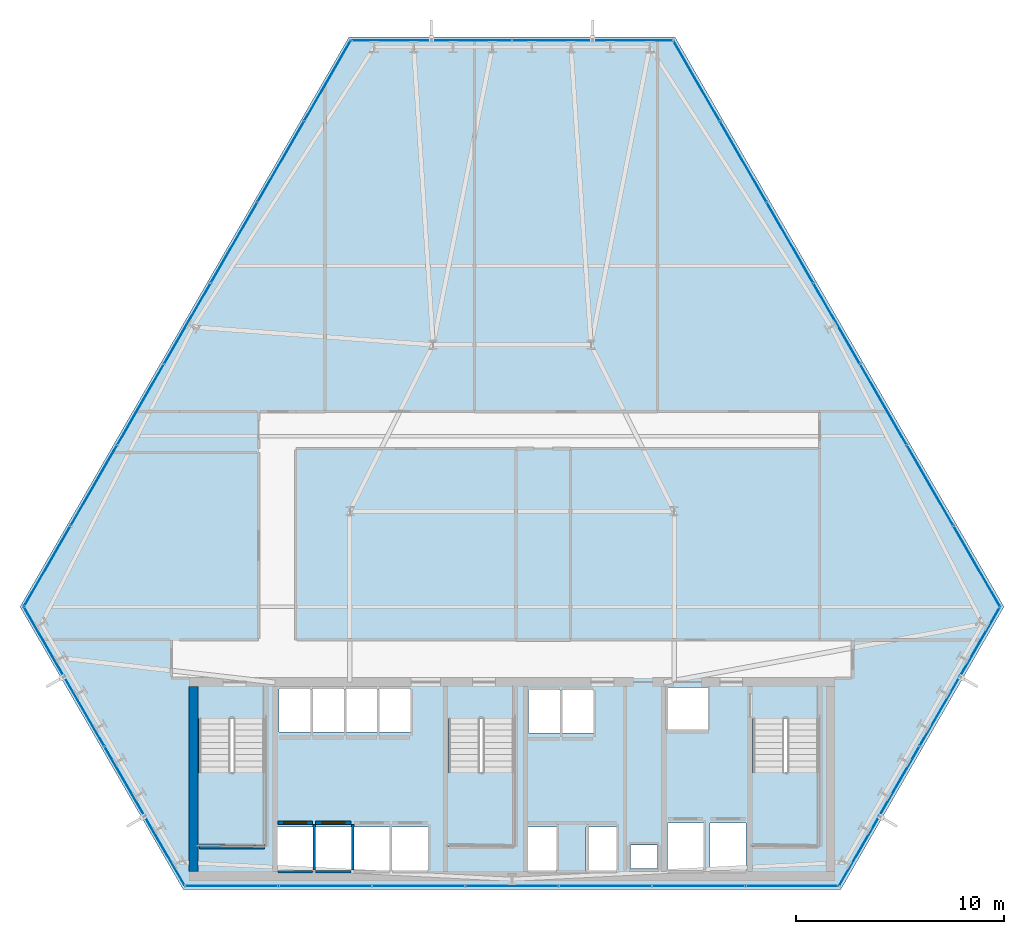
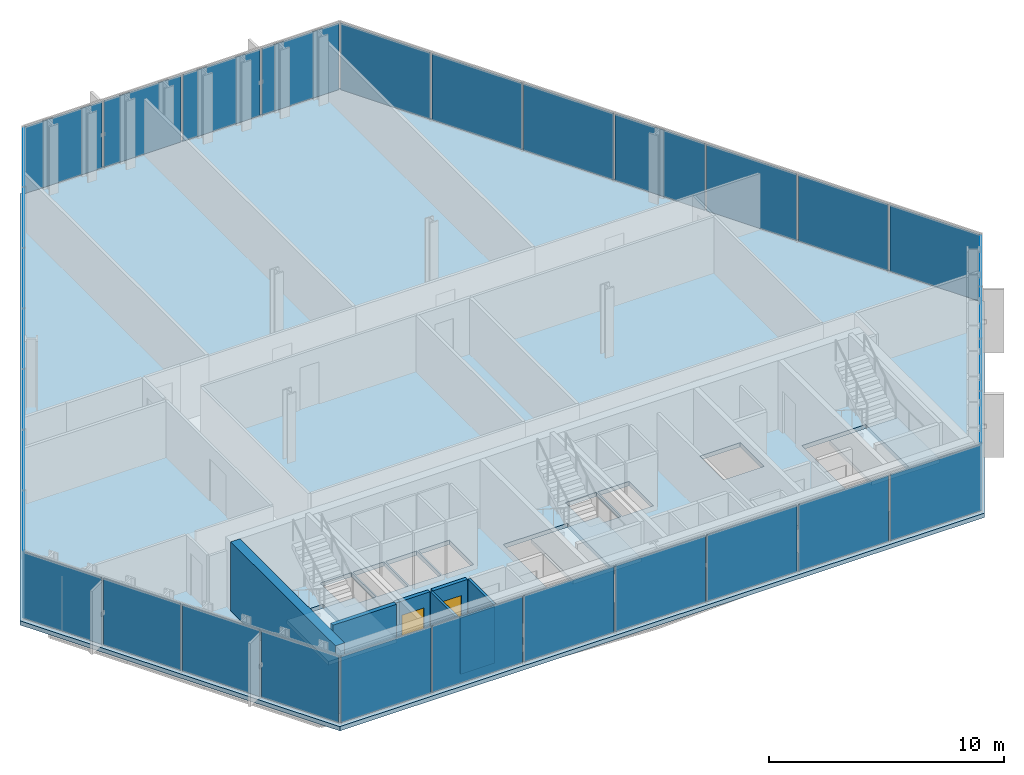
# One storey, part 25 of 32: 33 plates, 8 walls, 4 slabs, 2 doors, 2 openings, 9 elements without a shape of their own.
"""IFC4 building model written with IfcOpenShell, lengths in metres."""

from ifc_helpers import new_model, si_unit, direction, frame, frame_2d, origin, origin_2d, place, context, subcontext, project, spatial, polyline, rectangle, outline, extrude, material, layer, layer_set, type_object, element, fill, aggregate, save


model = new_model("IFC4")

# Units and contexts
model_context = context("Model", 3, precision=1e-05, world=origin(), true_north=direction((0.0, 1.0)))
body_context = subcontext(model_context, "Body", "Model", "MODEL_VIEW")
ifc_project = project(units=[si_unit("LENGTHUNIT", "METRE"), si_unit("AREAUNIT", "SQUARE_METRE"), si_unit("VOLUMEUNIT", "CUBIC_METRE"), si_unit("PLANEANGLEUNIT", "RADIAN"), si_unit("MASSUNIT", "GRAM", prefix="KILO")], contexts=[model_context])

# Site, building, storey
site_placement = place(None, origin())
site = spatial("IfcSite", under=ifc_project, at=site_placement, CompositionType="ELEMENT")
building_placement = place(site_placement, origin())
building = spatial("IfcBuilding", under=site, at=building_placement, Name="Ndaravel Arena Tower", CompositionType="ELEMENT")
storey_placement = place(building_placement, frame((0.0, 0.0, 62.60009765625)))
storey = spatial("IfcBuildingStorey", under=building, at=storey_placement, Name="L13", CompositionType="ELEMENT", Elevation=62.60009765625)

# Curtain wall, plate
ifc_material_1 = material(Name="Aluminium", Category="aluminium")
ifc_layer_1 = layer(ifc_material_1, 0.179931640625)
ifc_layer_set_1 = layer_set([ifc_layer_1], Name="Aluminium")
curtain_wall_type_1 = type_object("IfcCurtainWallType", Name="CW-SYS-01", PredefinedType="NOTDEFINED", material=ifc_layer_set_1)
curtain_wall_1_placement = place(storey_placement, origin())
curtain_wall_1 = element("IfcCurtainWall", 1, at=curtain_wall_1_placement, inside=storey, type_object=curtain_wall_type_1, Name="L13 Faceted Crystal Curtain Wall CW-L13-E02", PredefinedType="NOTDEFINED")
ifc_material_2 = material(Name="Glazing", Category="glass")
ifc_layer_2 = layer(ifc_material_2, 0.035888671875)
ifc_layer_set_2 = layer_set([ifc_layer_2], Name="Glazing")
plate_type_1 = type_object("IfcPlateType", Name="PLT-CW-OPVENT", PredefinedType="CURTAIN_PANEL", material=ifc_layer_set_2)
plate_1_placement = place(storey_placement, frame((60.6435546875, 10.19775390625, 0.059814453125), z_axis=(0.0, 0.0, 1.0), x_axis=(0.5, 0.866025403784, 0.0)))
plate_1 = element("IfcPlate", 2, at=plate_1_placement, type_object=plate_type_1, Name="CW-L13-E02 Operable Vent Sash Panel 02", PredefinedType="CURTAIN_PANEL", context=body_context, shape_type="SweptSolid", body=[
    extrude(rectangle(XDim=3.798095703125, YDim=0.035888671875, at=origin_2d()), origin(), (0.0, 0.0, 1.0), 3.4599609375),
])

curtain_wall_2_placement = place(storey_placement, origin())
curtain_wall_2 = element("IfcCurtainWall", 3, at=curtain_wall_2_placement, inside=storey, type_object=curtain_wall_type_1, Name="L13 Faceted Crystal Curtain Wall CW-L13-E04", PredefinedType="NOTDEFINED")
plate_2_placement = place(storey_placement, frame((43.93896484375, 45.847900390625, 0.059814453125), z_axis=(0.0, 0.0, 1.0), x_axis=(-1.0, 0.0, 0.0)))
plate_2 = element("IfcPlate", 4, at=plate_2_placement, type_object=plate_type_1, Name="CW-L13-E04 Operable Vent Sash Panel 02", PredefinedType="CURTAIN_PANEL", context=body_context, shape_type="SweptSolid", body=[
    extrude(rectangle(XDim=3.798095703125, YDim=0.035888671875, at=origin_2d()), origin(), (0.0, 0.0, 1.0), 3.4599609375),
])

ifc_material_3 = material(Name="Aluminium", Category="aluminium")
ifc_layer_3 = layer(ifc_material_3, 0.179931640625)
ifc_layer_set_3 = layer_set([ifc_layer_3], Name="Aluminium")
curtain_wall_type_2 = type_object("IfcCurtainWallType", Name="CW-SYS-02", PredefinedType="NOTDEFINED", material=ifc_layer_set_3)
curtain_wall_3_placement = place(storey_placement, origin())
curtain_wall_3 = element("IfcCurtainWall", 5, at=curtain_wall_3_placement, inside=storey, type_object=curtain_wall_type_2, Name="L13 Faceted Crystal Curtain Wall CW-L13-E06", PredefinedType="NOTDEFINED")
plate_3_placement = place(storey_placement, frame((21.41748046875, 13.55615234375, 0.059814453125), z_axis=(0.0, 0.0, 1.0), x_axis=(0.5, -0.866025403784, 0.0)))
plate_3 = element("IfcPlate", 6, at=plate_3_placement, type_object=plate_type_1, Name="CW-L13-E06 Operable Vent Sash Panel 02", PredefinedType="CURTAIN_PANEL", context=body_context, shape_type="SweptSolid", body=[
    extrude(rectangle(XDim=3.798095703125, YDim=0.035888671875, at=origin_2d()), origin(), (0.0, 0.0, 1.0), 3.4599609375),
])

# Plate
ifc_material_4 = material(Name="Glazing", Category="glass")
ifc_layer_4 = layer(ifc_material_4, 0.031982421875)
ifc_layer_set_4 = layer_set([ifc_layer_4], Name="Glazing")
plate_type_2 = type_object("IfcPlateType", Name="PLT-GLZ-FRIT35", PredefinedType="CURTAIN_PANEL", material=ifc_layer_set_4)
plate_4_placement = place(storey_placement, frame((58.70458984375, 6.839111328125, 0.059814453125), z_axis=(0.0, 0.0, 1.0), x_axis=(0.5, 0.866025403784, 0.0)))
plate_4 = element("IfcPlate", 7, at=plate_4_placement, type_object=plate_type_2, Name="CW-L13-E02 Vision Glass Panel 01", PredefinedType="CURTAIN_PANEL", context=body_context, shape_type="SweptSolid", body=[
    extrude(rectangle(XDim=3.798095703125, YDim=0.035888671875, at=origin_2d()), origin(), (0.0, 0.0, 1.0), 3.4599609375),
])

plate_5_placement = place(storey_placement, frame((62.58251953125, 13.55615234375, 0.059814453125), z_axis=(0.0, 0.0, 1.0), x_axis=(0.5, 0.866025403784, 0.0)))
plate_5 = element("IfcPlate", 8, at=plate_5_placement, type_object=plate_type_2, Name="CW-L13-E02 Vision Glass Panel 03", PredefinedType="CURTAIN_PANEL", context=body_context, shape_type="SweptSolid", body=[
    extrude(rectangle(XDim=3.798095703125, YDim=0.035888671875, at=origin_2d()), origin(), (0.0, 0.0, 1.0), 3.4599609375),
])

plate_6_placement = place(storey_placement, frame((64.521484375, 16.914794921875, 0.059814453125), z_axis=(0.0, 0.0, 1.0), x_axis=(0.5, 0.866025403784, 0.0)))
plate_6 = element("IfcPlate", 9, at=plate_6_placement, type_object=plate_type_2, Name="CW-L13-E02 Vision Glass Panel 04", PredefinedType="CURTAIN_PANEL", context=body_context, shape_type="SweptSolid", body=[
    extrude(rectangle(XDim=3.798095703125, YDim=0.035888671875, at=origin_2d()), origin(), (0.0, 0.0, 1.0), 3.4599609375),
])

aggregate(curtain_wall_1, [plate_4, plate_1, plate_5, plate_6])

plate_7_placement = place(storey_placement, frame((47.817138671875, 45.847900390625, 0.059814453125), z_axis=(0.0, 0.0, 1.0), x_axis=(-1.0, 0.0, 0.0)))
plate_7 = element("IfcPlate", 10, at=plate_7_placement, type_object=plate_type_2, Name="CW-L13-E04 Vision Glass Panel 01", PredefinedType="CURTAIN_PANEL", context=body_context, shape_type="SweptSolid", body=[
    extrude(rectangle(XDim=3.798095703125, YDim=0.035888671875, at=origin_2d()), origin(), (0.0, 0.0, 1.0), 3.4599609375),
])

plate_8_placement = place(storey_placement, frame((40.06103515625, 45.847900390625, 0.059814453125), z_axis=(0.0, 0.0, 1.0), x_axis=(-1.0, 0.0, 0.0)))
plate_8 = element("IfcPlate", 11, at=plate_8_placement, type_object=plate_type_2, Name="CW-L13-E04 Vision Glass Panel 03", PredefinedType="CURTAIN_PANEL", context=body_context, shape_type="SweptSolid", body=[
    extrude(rectangle(XDim=3.798095703125, YDim=0.035888671875, at=origin_2d()), origin(), (0.0, 0.0, 1.0), 3.4599609375),
])

plate_9_placement = place(storey_placement, frame((36.182861328125, 45.847900390625, 0.059814453125), z_axis=(0.0, 0.0, 1.0), x_axis=(-1.0, 0.0, 0.0)))
plate_9 = element("IfcPlate", 12, at=plate_9_placement, type_object=plate_type_2, Name="CW-L13-E04 Vision Glass Panel 04", PredefinedType="CURTAIN_PANEL", context=body_context, shape_type="SweptSolid", body=[
    extrude(rectangle(XDim=3.798095703125, YDim=0.035888671875, at=origin_2d()), origin(), (0.0, 0.0, 1.0), 3.4599609375),
])

aggregate(curtain_wall_2, [plate_7, plate_2, plate_8, plate_9])

ifc_material_5 = material(Name="Glazing", Category="glass")
ifc_layer_5 = layer(ifc_material_5, 0.035888671875)
ifc_layer_set_5 = layer_set([ifc_layer_5], Name="Glazing")
plate_type_3 = type_object("IfcPlateType", Name="PLT-GLZ-FRIT55", PredefinedType="CURTAIN_PANEL", material=ifc_layer_set_5)
plate_10_placement = place(storey_placement, frame((19.478515625, 16.914794921875, 0.059814453125), z_axis=(0.0, 0.0, 1.0), x_axis=(0.5, -0.866025403784, 0.0)))
plate_10 = element("IfcPlate", 13, at=plate_10_placement, type_object=plate_type_3, Name="CW-L13-E06 Vision Glass Panel 01", PredefinedType="CURTAIN_PANEL", context=body_context, shape_type="SweptSolid", body=[
    extrude(rectangle(XDim=3.798095703125, YDim=0.035888671875, at=origin_2d()), origin(), (0.0, 0.0, 1.0), 3.4599609375),
])

plate_11_placement = place(storey_placement, frame((23.3564453125, 10.19775390625, 0.059814453125), z_axis=(0.0, 0.0, 1.0), x_axis=(0.5, -0.866025403784, 0.0)))
plate_11 = element("IfcPlate", 14, at=plate_11_placement, type_object=plate_type_3, Name="CW-L13-E06 Vision Glass Panel 03", PredefinedType="CURTAIN_PANEL", context=body_context, shape_type="SweptSolid", body=[
    extrude(rectangle(XDim=3.798095703125, YDim=0.035888671875, at=origin_2d()), origin(), (0.0, 0.0, 1.0), 3.4599609375),
])

plate_12_placement = place(storey_placement, frame((25.29541015625, 6.839111328125, 0.059814453125), z_axis=(0.0, 0.0, 1.0), x_axis=(0.5, -0.866025403784, 0.0)))
plate_12 = element("IfcPlate", 15, at=plate_12_placement, type_object=plate_type_3, Name="CW-L13-E06 Vision Glass Panel 04", PredefinedType="CURTAIN_PANEL", context=body_context, shape_type="SweptSolid", body=[
    extrude(rectangle(XDim=3.798095703125, YDim=0.035888671875, at=origin_2d()), origin(), (0.0, 0.0, 1.0), 3.4599609375),
])

aggregate(curtain_wall_3, [plate_10, plate_3, plate_11, plate_12])

# Curtain wall, plates
ifc_material_6 = material(Name="Aluminium", Category="aluminium")
ifc_layer_6 = layer(ifc_material_6, 0.179931640625)
ifc_layer_set_6 = layer_set([ifc_layer_6], Name="Aluminium")
curtain_wall_type_3 = type_object("IfcCurtainWallType", Name="CW-SYS-03", PredefinedType="NOTDEFINED", material=ifc_layer_set_6)
curtain_wall_4_placement = place(storey_placement, origin())
curtain_wall_4 = element("IfcCurtainWall", 16, at=curtain_wall_4_placement, inside=storey, type_object=curtain_wall_type_3, Name="L13 Faceted Crystal Curtain Wall CW-L13-E01", PredefinedType="NOTDEFINED")
ifc_material_7 = material(Name="Glazing", Category="glass")
ifc_layer_7 = layer(ifc_material_7, 0.0400390625)
ifc_layer_set_7 = layer_set([ifc_layer_7], Name="Glazing")
plate_type_4 = type_object("IfcPlateType", Name="PLT-GLZ-LOWIRON", PredefinedType="CURTAIN_PANEL", material=ifc_layer_set_7)
plate_13_placement = place(storey_placement, frame((28.512939453125, 5.159912109375, 0.059814453125), z_axis=(0.0, 0.0, 1.0), x_axis=(1.0, 0.0, 0.0)))
plate_13 = element("IfcPlate", 17, at=plate_13_placement, type_object=plate_type_4, Name="CW-L13-E01 Vision Glass Panel 01", PredefinedType="CURTAIN_PANEL", context=body_context, shape_type="SweptSolid", body=[
    extrude(rectangle(XDim=4.415771484375, YDim=0.035888671875, at=origin_2d()), origin(), (0.0, 0.0, 1.0), 3.4599609375),
])
plate_14_placement = place(storey_placement, frame((33.008544921875, 5.159912109375, 0.059814453125), z_axis=(0.0, 0.0, 1.0), x_axis=(1.0, 0.0, 0.0)))
plate_14 = element("IfcPlate", 18, at=plate_14_placement, type_object=plate_type_4, Name="CW-L13-E01 Vision Glass Panel 02", PredefinedType="CURTAIN_PANEL", context=body_context, shape_type="SweptSolid", body=[
    extrude(rectangle(XDim=4.415771484375, YDim=0.035888671875, at=origin_2d()), origin(), (0.0, 0.0, 1.0), 3.4599609375),
])
plate_15_placement = place(storey_placement, frame((37.50439453125, 5.159912109375, 0.059814453125), z_axis=(0.0, 0.0, 1.0), x_axis=(1.0, 0.0, 0.0)))
plate_15 = element("IfcPlate", 19, at=plate_15_placement, type_object=plate_type_4, Name="CW-L13-E01 Vision Glass Panel 03", PredefinedType="CURTAIN_PANEL", context=body_context, shape_type="SweptSolid", body=[
    extrude(rectangle(XDim=4.415771484375, YDim=0.035888671875, at=origin_2d()), origin(), (0.0, 0.0, 1.0), 3.4599609375),
])
plate_16_placement = place(storey_placement, frame((42.0, 5.159912109375, 0.059814453125), z_axis=(0.0, 0.0, 1.0), x_axis=(1.0, 0.0, 0.0)))
plate_16 = element("IfcPlate", 20, at=plate_16_placement, type_object=plate_type_4, Name="CW-L13-E01 Vision Glass Panel 04", PredefinedType="CURTAIN_PANEL", context=body_context, shape_type="SweptSolid", body=[
    extrude(rectangle(XDim=4.415771484375, YDim=0.035888671875, at=origin_2d()), origin(), (0.0, 0.0, 1.0), 3.4599609375),
])
plate_17_placement = place(storey_placement, frame((46.49560546875, 5.159912109375, 0.059814453125), z_axis=(0.0, 0.0, 1.0), x_axis=(1.0, 0.0, 0.0)))
plate_17 = element("IfcPlate", 21, at=plate_17_placement, type_object=plate_type_4, Name="CW-L13-E01 Vision Glass Panel 05", PredefinedType="CURTAIN_PANEL", context=body_context, shape_type="SweptSolid", body=[
    extrude(rectangle(XDim=4.415771484375, YDim=0.035888671875, at=origin_2d()), origin(), (0.0, 0.0, 1.0), 3.4599609375),
])
plate_18_placement = place(storey_placement, frame((50.991455078125, 5.159912109375, 0.059814453125), z_axis=(0.0, 0.0, 1.0), x_axis=(1.0, 0.0, 0.0)))
plate_18 = element("IfcPlate", 22, at=plate_18_placement, type_object=plate_type_4, Name="CW-L13-E01 Vision Glass Panel 06", PredefinedType="CURTAIN_PANEL", context=body_context, shape_type="SweptSolid", body=[
    extrude(rectangle(XDim=4.415771484375, YDim=0.035888671875, at=origin_2d()), origin(), (0.0, 0.0, 1.0), 3.4599609375),
])
plate_19_placement = place(storey_placement, frame((55.487060546875, 5.159912109375, 0.059814453125), z_axis=(0.0, 0.0, 1.0), x_axis=(1.0, 0.0, 0.0)))
plate_19 = element("IfcPlate", 23, at=plate_19_placement, type_object=plate_type_4, Name="CW-L13-E01 Vision Glass Panel 07", PredefinedType="CURTAIN_PANEL", context=body_context, shape_type="SweptSolid", body=[
    extrude(rectangle(XDim=4.415771484375, YDim=0.035888671875, at=origin_2d()), origin(), (0.0, 0.0, 1.0), 3.4599609375),
])
aggregate(curtain_wall_4, [plate_13, plate_14, plate_15, plate_16, plate_17, plate_18, plate_19])

curtain_wall_5_placement = place(storey_placement, origin())
curtain_wall_5 = element("IfcCurtainWall", 24, at=curtain_wall_5_placement, inside=storey, type_object=curtain_wall_type_3, Name="L13 Faceted Crystal Curtain Wall CW-L13-E03", PredefinedType="NOTDEFINED")
plate_20_placement = place(storey_placement, frame((64.3671875, 20.54052734375, 0.059814453125), z_axis=(0.0, 0.0, 1.0), x_axis=(-0.5, 0.866025403784, 0.0)))
plate_20 = element("IfcPlate", 25, at=plate_20_placement, type_object=plate_type_4, Name="CW-L13-E03 Vision Glass Panel 01", PredefinedType="CURTAIN_PANEL", context=body_context, shape_type="SweptSolid", body=[
    extrude(rectangle(XDim=4.415771484375, YDim=0.035888671875, at=origin_2d()), origin(), (0.0, 0.0, 1.0), 3.4599609375),
])
plate_21_placement = place(storey_placement, frame((62.119384765625, 24.43408203125, 0.059814453125), z_axis=(0.0, 0.0, 1.0), x_axis=(-0.5, 0.866025403784, 0.0)))
plate_21 = element("IfcPlate", 26, at=plate_21_placement, type_object=plate_type_4, Name="CW-L13-E03 Vision Glass Panel 02", PredefinedType="CURTAIN_PANEL", context=body_context, shape_type="SweptSolid", body=[
    extrude(rectangle(XDim=4.415771484375, YDim=0.035888671875, at=origin_2d()), origin(), (0.0, 0.0, 1.0), 3.4599609375),
])
plate_22_placement = place(storey_placement, frame((59.87158203125, 28.327392578125, 0.059814453125), z_axis=(0.0, 0.0, 1.0), x_axis=(-0.5, 0.866025403784, 0.0)))
plate_22 = element("IfcPlate", 27, at=plate_22_placement, type_object=plate_type_4, Name="CW-L13-E03 Vision Glass Panel 03", PredefinedType="CURTAIN_PANEL", context=body_context, shape_type="SweptSolid", body=[
    extrude(rectangle(XDim=4.415771484375, YDim=0.035888671875, at=origin_2d()), origin(), (0.0, 0.0, 1.0), 3.4599609375),
])
plate_23_placement = place(storey_placement, frame((57.62353515625, 32.220947265625, 0.059814453125), z_axis=(0.0, 0.0, 1.0), x_axis=(-0.5, 0.866025403784, 0.0)))
plate_23 = element("IfcPlate", 28, at=plate_23_placement, type_object=plate_type_4, Name="CW-L13-E03 Vision Glass Panel 04", PredefinedType="CURTAIN_PANEL", context=body_context, shape_type="SweptSolid", body=[
    extrude(rectangle(XDim=4.415771484375, YDim=0.035888671875, at=origin_2d()), origin(), (0.0, 0.0, 1.0), 3.4599609375),
])
plate_24_placement = place(storey_placement, frame((55.375732421875, 36.1142578125, 0.059814453125), z_axis=(0.0, 0.0, 1.0), x_axis=(-0.5, 0.866025403784, 0.0)))
plate_24 = element("IfcPlate", 29, at=plate_24_placement, type_object=plate_type_4, Name="CW-L13-E03 Vision Glass Panel 05", PredefinedType="CURTAIN_PANEL", context=body_context, shape_type="SweptSolid", body=[
    extrude(rectangle(XDim=4.415771484375, YDim=0.035888671875, at=origin_2d()), origin(), (0.0, 0.0, 1.0), 3.4599609375),
])
plate_25_placement = place(storey_placement, frame((53.1279296875, 40.0078125, 0.059814453125), z_axis=(0.0, 0.0, 1.0), x_axis=(-0.5, 0.866025403784, 0.0)))
plate_25 = element("IfcPlate", 30, at=plate_25_placement, type_object=plate_type_4, Name="CW-L13-E03 Vision Glass Panel 06", PredefinedType="CURTAIN_PANEL", context=body_context, shape_type="SweptSolid", body=[
    extrude(rectangle(XDim=4.415771484375, YDim=0.035888671875, at=origin_2d()), origin(), (0.0, 0.0, 1.0), 3.4599609375),
])
plate_26_placement = place(storey_placement, frame((50.8798828125, 43.901123046875, 0.059814453125), z_axis=(0.0, 0.0, 1.0), x_axis=(-0.5, 0.866025403784, 0.0)))
plate_26 = element("IfcPlate", 31, at=plate_26_placement, type_object=plate_type_4, Name="CW-L13-E03 Vision Glass Panel 07", PredefinedType="CURTAIN_PANEL", context=body_context, shape_type="SweptSolid", body=[
    extrude(rectangle(XDim=4.415771484375, YDim=0.035888671875, at=origin_2d()), origin(), (0.0, 0.0, 1.0), 3.4599609375),
])
aggregate(curtain_wall_5, [plate_20, plate_21, plate_22, plate_23, plate_24, plate_25, plate_26])

curtain_wall_6_placement = place(storey_placement, origin())
curtain_wall_6 = element("IfcCurtainWall", 32, at=curtain_wall_6_placement, inside=storey, type_object=curtain_wall_type_3, Name="L13 Faceted Crystal Curtain Wall CW-L13-E05", PredefinedType="NOTDEFINED")
plate_27_placement = place(storey_placement, frame((33.1201171875, 43.901123046875, 0.059814453125), z_axis=(0.0, 0.0, 1.0), x_axis=(-0.5, -0.866025403784, 0.0)))
plate_27 = element("IfcPlate", 33, at=plate_27_placement, type_object=plate_type_4, Name="CW-L13-E05 Vision Glass Panel 01", PredefinedType="CURTAIN_PANEL", context=body_context, shape_type="SweptSolid", body=[
    extrude(rectangle(XDim=4.415771484375, YDim=0.035888671875, at=origin_2d()), origin(), (0.0, 0.0, 1.0), 3.4599609375),
])
plate_28_placement = place(storey_placement, frame((30.8720703125, 40.0078125, 0.059814453125), z_axis=(0.0, 0.0, 1.0), x_axis=(-0.5, -0.866025403784, 0.0)))
plate_28 = element("IfcPlate", 34, at=plate_28_placement, type_object=plate_type_4, Name="CW-L13-E05 Vision Glass Panel 02", PredefinedType="CURTAIN_PANEL", context=body_context, shape_type="SweptSolid", body=[
    extrude(rectangle(XDim=4.415771484375, YDim=0.035888671875, at=origin_2d()), origin(), (0.0, 0.0, 1.0), 3.4599609375),
])
plate_29_placement = place(storey_placement, frame((28.624267578125, 36.1142578125, 0.059814453125), z_axis=(0.0, 0.0, 1.0), x_axis=(-0.5, -0.866025403784, 0.0)))
plate_29 = element("IfcPlate", 35, at=plate_29_placement, type_object=plate_type_4, Name="CW-L13-E05 Vision Glass Panel 03", PredefinedType="CURTAIN_PANEL", context=body_context, shape_type="SweptSolid", body=[
    extrude(rectangle(XDim=4.415771484375, YDim=0.035888671875, at=origin_2d()), origin(), (0.0, 0.0, 1.0), 3.4599609375),
])
plate_30_placement = place(storey_placement, frame((26.37646484375, 32.220947265625, 0.059814453125), z_axis=(0.0, 0.0, 1.0), x_axis=(-0.5, -0.866025403784, 0.0)))
plate_30 = element("IfcPlate", 36, at=plate_30_placement, type_object=plate_type_4, Name="CW-L13-E05 Vision Glass Panel 04", PredefinedType="CURTAIN_PANEL", context=body_context, shape_type="SweptSolid", body=[
    extrude(rectangle(XDim=4.415771484375, YDim=0.035888671875, at=origin_2d()), origin(), (0.0, 0.0, 1.0), 3.4599609375),
])
plate_31_placement = place(storey_placement, frame((24.12841796875, 28.327392578125, 0.059814453125), z_axis=(0.0, 0.0, 1.0), x_axis=(-0.5, -0.866025403784, 0.0)))
plate_31 = element("IfcPlate", 37, at=plate_31_placement, type_object=plate_type_4, Name="CW-L13-E05 Vision Glass Panel 05", PredefinedType="CURTAIN_PANEL", context=body_context, shape_type="SweptSolid", body=[
    extrude(rectangle(XDim=4.415771484375, YDim=0.035888671875, at=origin_2d()), origin(), (0.0, 0.0, 1.0), 3.4599609375),
])
plate_32_placement = place(storey_placement, frame((21.880615234375, 24.43408203125, 0.059814453125), z_axis=(0.0, 0.0, 1.0), x_axis=(-0.5, -0.866025403784, 0.0)))
plate_32 = element("IfcPlate", 38, at=plate_32_placement, type_object=plate_type_4, Name="CW-L13-E05 Vision Glass Panel 06", PredefinedType="CURTAIN_PANEL", context=body_context, shape_type="SweptSolid", body=[
    extrude(rectangle(XDim=4.415771484375, YDim=0.035888671875, at=origin_2d()), origin(), (0.0, 0.0, 1.0), 3.4599609375),
])
plate_33_placement = place(storey_placement, frame((19.6328125, 20.54052734375, 0.059814453125), z_axis=(0.0, 0.0, 1.0), x_axis=(-0.5, -0.866025403784, 0.0)))
plate_33 = element("IfcPlate", 39, at=plate_33_placement, type_object=plate_type_4, Name="CW-L13-E05 Vision Glass Panel 07", PredefinedType="CURTAIN_PANEL", context=body_context, shape_type="SweptSolid", body=[
    extrude(rectangle(XDim=4.415771484375, YDim=0.035888671875, at=origin_2d()), origin(), (0.0, 0.0, 1.0), 3.4599609375),
])
aggregate(curtain_wall_6, [plate_27, plate_28, plate_29, plate_30, plate_31, plate_32, plate_33])

# Stair, slab
ifc_material_8 = material(Name="Concrete C40/50", Category="concrete")
stair_type = type_object("IfcStairType", Name="STAIR-CORE-HT", PredefinedType="HALF_TURN_STAIR", material=ifc_material_8)
stair_1_placement = place(storey_placement, origin())
stair_1 = element("IfcStair", 40, at=stair_1_placement, inside=storey, type_object=stair_type, Name="L13 ST-1", PredefinedType="HALF_TURN_STAIR")
ifc_material_9 = material(Name="Concrete C40/50", Category="concrete")
ifc_layer_8 = layer(ifc_material_9, 0.199951171875)
ifc_layer_set_8 = layer_set([ifc_layer_8], Name="Concrete C40/50")
slab_type_1 = type_object("IfcSlabType", Name="SLAB-STAIR-LANDING", PredefinedType="LANDING", material=ifc_layer_set_8)
slab_1_placement = place(storey_placement, frame((0.0, 0.0, 1.699951171875)))
slab_1 = element("IfcSlab", 41, at=slab_1_placement, type_object=slab_type_1, Name="ST-1 landing 1", PredefinedType="LANDING", context=body_context, shape_type="SweptSolid", body=[
    extrude(outline(polyline([(26.81005859375, 10.6298828125), (26.81005859375, 7.070068359375), (30.169921875, 7.070068359375), (30.169921875, 10.6298828125), (26.81005859375, 10.6298828125)])), origin(), (0.0, 0.0, 1.0), 0.199951171875),
])
aggregate(stair_1, [slab_1])

stair_2_placement = place(storey_placement, origin())
stair_2 = element("IfcStair", 42, at=stair_2_placement, inside=storey, type_object=stair_type, Name="L13 ST-2", PredefinedType="HALF_TURN_STAIR")
slab_2_placement = place(storey_placement, frame((0.0, 0.0, 1.699951171875)))
slab_2 = element("IfcSlab", 43, at=slab_2_placement, type_object=slab_type_1, Name="ST-2 landing 1", PredefinedType="LANDING", context=body_context, shape_type="SweptSolid", body=[
    extrude(outline(polyline([(38.81005859375, 10.6298828125), (38.81005859375, 7.070068359375), (42.169921875, 7.070068359375), (42.169921875, 10.6298828125), (38.81005859375, 10.6298828125)])), origin(), (0.0, 0.0, 1.0), 0.199951171875),
])
aggregate(stair_2, [slab_2])

stair_3_placement = place(storey_placement, origin())
stair_3 = element("IfcStair", 44, at=stair_3_placement, inside=storey, type_object=stair_type, Name="L13 ST-3", PredefinedType="HALF_TURN_STAIR")
slab_3_placement = place(storey_placement, frame((0.0, 0.0, 1.699951171875)))
slab_3 = element("IfcSlab", 45, at=slab_3_placement, type_object=slab_type_1, Name="ST-3 landing 1", PredefinedType="LANDING", context=body_context, shape_type="SweptSolid", body=[
    extrude(outline(polyline([(53.4599609375, 10.6298828125), (53.4599609375, 7.070068359375), (56.820068359375, 7.070068359375), (56.820068359375, 10.6298828125), (53.4599609375, 10.6298828125)])), origin(), (0.0, 0.0, 1.0), 0.199951171875),
])
aggregate(stair_3, [slab_3])

# Slab
ifc_material_10 = material(Name="Concrete C40/50", Category="concrete")
ifc_layer_9 = layer(ifc_material_10, 0.219970703125)
ifc_layer_set_9 = layer_set([ifc_layer_9], Name="Concrete C40/50")
slab_type_2 = type_object("IfcSlabType", Name="SLAB-TWR-220", PredefinedType="FLOOR", material=ifc_layer_set_9)
slab_4_placement = place(storey_placement, frame((0.0, 0.0, -0.22021484375)))
element("IfcSlab", 46, at=slab_4_placement, inside=storey, type_object=slab_type_2, Name="L13 Structural Floor Slab", PredefinedType="FLOOR", context=body_context, shape_type="SweptSolid", body=[
    extrude(outline(polyline([(18.32421875, 18.593994140625), (26.172607421875, 5.0), (57.827392578125, 5.0), (65.67578125, 18.593994140625), (49.848388671875, 46.0078125), (34.151611328125, 46.0078125), (18.32421875, 18.593994140625)]), holes=[polyline([(26.949951171875, 13.215087890625), (26.949951171875, 7.14990234375), (30.090087890625, 7.14990234375), (30.090087890625, 13.215087890625), (26.949951171875, 13.215087890625)]), polyline([(38.949951171875, 13.215087890625), (38.949951171875, 7.14990234375), (42.090087890625, 7.14990234375), (42.090087890625, 13.215087890625), (38.949951171875, 13.215087890625)]), polyline([(53.60009765625, 13.215087890625), (53.60009765625, 7.14990234375), (56.739990234375, 7.14990234375), (56.739990234375, 13.215087890625), (53.60009765625, 13.215087890625)]), polyline([(30.68505859375, 5.909912109375), (32.4150390625, 5.909912109375), (32.4150390625, 7.989990234375), (30.68505859375, 7.989990234375), (30.68505859375, 5.909912109375)]), polyline([(32.534912109375, 5.909912109375), (34.264892578125, 5.909912109375), (34.264892578125, 7.989990234375), (32.534912109375, 7.989990234375), (32.534912109375, 5.909912109375)]), polyline([(34.385009765625, 5.909912109375), (36.114990234375, 5.909912109375), (36.114990234375, 7.989990234375), (34.385009765625, 7.989990234375), (34.385009765625, 5.909912109375)]), polyline([(36.235107421875, 5.909912109375), (37.965087890625, 5.909912109375), (37.965087890625, 7.989990234375), (36.235107421875, 7.989990234375), (36.235107421875, 5.909912109375)]), polyline([(30.784912109375, 12.56005859375), (32.31494140625, 12.56005859375), (32.31494140625, 14.639892578125), (30.784912109375, 14.639892578125), (30.784912109375, 12.56005859375)]), polyline([(32.385009765625, 12.56005859375), (33.9150390625, 12.56005859375), (33.9150390625, 14.639892578125), (32.385009765625, 14.639892578125), (32.385009765625, 12.56005859375)]), polyline([(33.985107421875, 12.56005859375), (35.514892578125, 12.56005859375), (35.514892578125, 14.639892578125), (33.985107421875, 14.639892578125), (33.985107421875, 12.56005859375)]), polyline([(35.5849609375, 12.56005859375), (37.114990234375, 12.56005859375), (37.114990234375, 14.639892578125), (35.5849609375, 14.639892578125), (35.5849609375, 12.56005859375)]), polyline([(42.659912109375, 5.909912109375), (44.139892578125, 5.909912109375), (44.139892578125, 7.989990234375), (42.659912109375, 7.989990234375), (42.659912109375, 5.909912109375)]), polyline([(45.56005859375, 5.909912109375), (47.0400390625, 5.909912109375), (47.0400390625, 7.989990234375), (45.56005859375, 7.989990234375), (45.56005859375, 5.909912109375)]), polyline([(42.784912109375, 12.510009765625), (44.31494140625, 12.510009765625), (44.31494140625, 14.590087890625), (42.784912109375, 14.590087890625), (42.784912109375, 12.510009765625)]), polyline([(44.385009765625, 12.510009765625), (45.9150390625, 12.510009765625), (45.9150390625, 14.590087890625), (44.385009765625, 14.590087890625), (44.385009765625, 12.510009765625)]), polyline([(49.485107421875, 5.909912109375), (51.215087890625, 5.909912109375), (51.215087890625, 8.18994140625), (49.485107421875, 8.18994140625), (49.485107421875, 5.909912109375)]), polyline([(51.534912109375, 5.909912109375), (53.264892578125, 5.909912109375), (53.264892578125, 8.18994140625), (51.534912109375, 8.18994140625), (51.534912109375, 5.909912109375)]), polyline([(49.4599609375, 12.68505859375), (51.43994140625, 12.68505859375), (51.43994140625, 14.715087890625), (49.4599609375, 14.715087890625), (49.4599609375, 12.68505859375)]), polyline([(47.699951171875, 6.0), (49.0, 6.0), (49.0, 7.139892578125), (47.699951171875, 7.139892578125), (47.699951171875, 6.0)])]), origin(), (0.0, 0.0, 1.0), 0.22021484375),
])

# Walls
ifc_material_11 = material(Name="Concrete C60/75", Category="concrete")
ifc_layer_10 = layer(ifc_material_11, 0.449951171875)
ifc_layer_set_10 = layer_set([ifc_layer_10], Name="Concrete C60/75")
wall_type_1 = type_object("IfcWallType", Name="WALL-CORE-450", PredefinedType="SOLIDWALL", material=ifc_layer_set_10)
wall_1_placement = place(storey_placement, frame((26.675048828125, 5.85009765625, 0.0), z_axis=(0.0, 0.0, 1.0), x_axis=(0.0, 1.0, 0.0)))
element("IfcWall", 47, at=wall_1_placement, inside=storey, type_object=wall_type_1, Name="L13 Core West Shear Wall", PredefinedType="SOLIDWALL", context=body_context, shape_type="SweptSolid", body=[
    extrude(rectangle(XDim=8.89990234375, YDim=0.449951171875, at=frame_2d((4.449951171875, 0.0))), origin(), (0.0, 0.0, 1.0), 3.579833984375),
])
ifc_material_12 = material(Name="Concrete C40/50", Category="concrete")
ifc_layer_11 = layer(ifc_material_12, 0.1201171875)
ifc_layer_set_11 = layer_set([ifc_layer_11], Name="Concrete C40/50")
wall_type_2 = type_object("IfcWallType", Name="WALL-SHAFT-120", PredefinedType="SOLIDWALL", material=ifc_layer_set_11)
wall_2_placement = place(storey_placement, frame((30.72998046875, 5.840087890625, 0.0), z_axis=(0.0, 0.0, 1.0), x_axis=(1.0, 0.0, 0.0)))
element("IfcWall", 48, at=wall_2_placement, inside=storey, type_object=wall_type_2, Name="L13 PL-L1 Shaft Rear Wall", PredefinedType="SOLIDWALL", context=body_context, shape_type="SweptSolid", body=[
    extrude(rectangle(XDim=1.6650390625, YDim=0.1201171875, at=frame_2d((0.83251953125, 0.0))), origin(), (0.0, 0.0, 1.0), 2.9326171875),
])
wall_3_placement = place(storey_placement, frame((32.47509765625, 5.929931640625, 0.0), z_axis=(0.0, 0.0, 1.0), x_axis=(0.0, 1.0, 0.0)))
element("IfcWall", 49, at=wall_3_placement, inside=storey, type_object=wall_type_2, Name="L13 PL-L1 Shaft Side R Wall", PredefinedType="SOLIDWALL", context=body_context, shape_type="SweptSolid", body=[
    extrude(rectangle(XDim=2.18017578125, YDim=0.1201171875, at=frame_2d((1.090087890625, 0.0))), origin(), (0.0, 0.0, 1.0), 2.9326171875),
])
wall_4_placement = place(storey_placement, frame((32.554931640625, 5.840087890625, 0.0), z_axis=(0.0, 0.0, 1.0), x_axis=(1.0, 0.0, 0.0)))
element("IfcWall", 50, at=wall_4_placement, inside=storey, type_object=wall_type_2, Name="L13 PL-L2 Shaft Rear Wall", PredefinedType="SOLIDWALL", context=body_context, shape_type="SweptSolid", body=[
    extrude(rectangle(XDim=1.690185546875, YDim=0.1201171875, at=frame_2d((0.84521484375, 0.0))), origin(), (0.0, 0.0, 1.0), 2.9326171875),
])
wall_5_placement = place(storey_placement, frame((34.324951171875, 5.929931640625, 0.0), z_axis=(0.0, 0.0, 1.0), x_axis=(0.0, 1.0, 0.0)))
element("IfcWall", 51, at=wall_5_placement, inside=storey, type_object=wall_type_2, Name="L13 PL-L2 Shaft Side R Wall", PredefinedType="SOLIDWALL", context=body_context, shape_type="SweptSolid", body=[
    extrude(rectangle(XDim=2.18017578125, YDim=0.1201171875, at=frame_2d((1.090087890625, 0.0))), origin(), (0.0, 0.0, 1.0), 2.9326171875),
])
ifc_material_13 = material(Name="Concrete C40/50", Category="concrete")
ifc_layer_12 = layer(ifc_material_13, 0.199951171875)
ifc_layer_set_12 = layer_set([ifc_layer_12], Name="Concrete C40/50")
wall_type_3 = type_object("IfcWallType", Name="WALL-SHAFT-200", PredefinedType="SOLIDWALL", material=ifc_layer_set_12)
wall_6_placement = place(storey_placement, frame((26.969970703125, 7.050048828125, 0.0), z_axis=(0.0, 0.0, 1.0), x_axis=(1.0, 0.0, 0.0)))
element("IfcWall", 52, at=wall_6_placement, inside=storey, type_object=wall_type_3, Name="L13 ST-1 Structural Shaft Wall Far", PredefinedType="SOLIDWALL", context=body_context, shape_type="SweptSolid", body=[
    extrude(rectangle(XDim=3.114990234375, YDim=0.199951171875, at=frame_2d((1.5576171875, 0.0))), origin(), (0.0, 0.0, 1.0), 3.7998046875),
])

# Wall, opening, door
wall_7_placement = place(storey_placement, frame((30.72998046875, 8.199951171875, 0.0), z_axis=(0.0, 0.0, 1.0), x_axis=(1.0, 0.0, 0.0)))
wall_7 = element("IfcWall", 53, at=wall_7_placement, inside=storey, type_object=wall_type_3, Name="L13 PL-L1 Shaft Landing Wall", PredefinedType="SOLIDWALL", context=body_context, shape_type="SweptSolid", body=[
    extrude(rectangle(XDim=1.6650390625, YDim=0.179931640625, at=frame_2d((0.83251953125, 0.0))), origin(), (0.0, 0.0, 1.0), 2.9326171875),
])
opening_1_placement = place(wall_7_placement, frame((0.282470703125, 0.0, 0.0)))
opening_1 = element("IfcOpeningElement", 54, at=opening_1_placement, cuts=wall_7, Name="Opening LD-01", PredefinedType="OPENING", context=body_context, shape_type="SweptSolid", body=[
    extrude(rectangle(XDim=1.10009765625, YDim=2.199951171875, at=frame_2d((0.550048828125, 1.10009765625))), frame((0.0, 0.08984375, 0.0), z_axis=(0.0, -1.0, 0.0), x_axis=(1.0, 0.0, 0.0)), (0.0, 0.0, 1.0), 0.179931640625),
])
ifc_material_14 = material(Name="Steel S355", Category="steel")
door_type = type_object("IfcDoorType", Name="DT-06-LIFT-1100", OperationType="SLIDING_TO_LEFT", PredefinedType="DOOR", material=ifc_material_14)
door_1_placement = place(opening_1_placement, origin())
door_1 = element("IfcDoor", 55, at=door_1_placement, inside=storey, type_object=door_type, Name="L13 Lift PL-L1 Sliding Landing Door", OperationType="SLIDING_TO_LEFT", OverallHeight=2.199951171875, OverallWidth=1.10009765625, PredefinedType="DOOR", context=body_context, shape_type="SweptSolid", body=[
    extrude(rectangle(XDim=1.10009765625, YDim=2.199951171875, at=frame_2d((0.550048828125, 1.10009765625))), frame((0.0, 0.02490234375, 0.0), z_axis=(0.0, -1.0, 0.0), x_axis=(1.0, 0.0, 0.0)), (0.0, 0.0, 1.0), 0.050048828125),
])
fill(opening_1, door_1)

wall_8_placement = place(storey_placement, frame((32.554931640625, 8.199951171875, 0.0), z_axis=(0.0, 0.0, 1.0), x_axis=(1.0, 0.0, 0.0)))
wall_8 = element("IfcWall", 56, at=wall_8_placement, inside=storey, type_object=wall_type_3, Name="L13 PL-L2 Shaft Landing Wall", PredefinedType="SOLIDWALL", context=body_context, shape_type="SweptSolid", body=[
    extrude(rectangle(XDim=1.690185546875, YDim=0.179931640625, at=frame_2d((0.84521484375, 0.0))), origin(), (0.0, 0.0, 1.0), 2.9326171875),
])
opening_2_placement = place(wall_8_placement, frame((0.294921875, 0.0, 0.0)))
opening_2 = element("IfcOpeningElement", 57, at=opening_2_placement, cuts=wall_8, Name="Opening LD-01", PredefinedType="OPENING", context=body_context, shape_type="SweptSolid", body=[
    extrude(rectangle(XDim=1.10009765625, YDim=2.199951171875, at=frame_2d((0.550048828125, 1.10009765625))), frame((0.0, 0.08984375, 0.0), z_axis=(0.0, -1.0, 0.0), x_axis=(1.0, 0.0, 0.0)), (0.0, 0.0, 1.0), 0.179931640625),
])
door_2_placement = place(opening_2_placement, origin())
door_2 = element("IfcDoor", 58, at=door_2_placement, inside=storey, type_object=door_type, Name="L13 Lift PL-L2 Sliding Landing Door", OperationType="SLIDING_TO_LEFT", OverallHeight=2.199951171875, OverallWidth=1.10009765625, PredefinedType="DOOR", context=body_context, shape_type="SweptSolid", body=[
    extrude(rectangle(XDim=1.10009765625, YDim=2.199951171875, at=frame_2d((0.550048828125, 1.10009765625))), frame((0.0, 0.02490234375, 0.0), z_axis=(0.0, -1.0, 0.0), x_axis=(1.0, 0.0, 0.0)), (0.0, 0.0, 1.0), 0.050048828125),
])
fill(opening_2, door_2)

save(model, "model.ifc")
